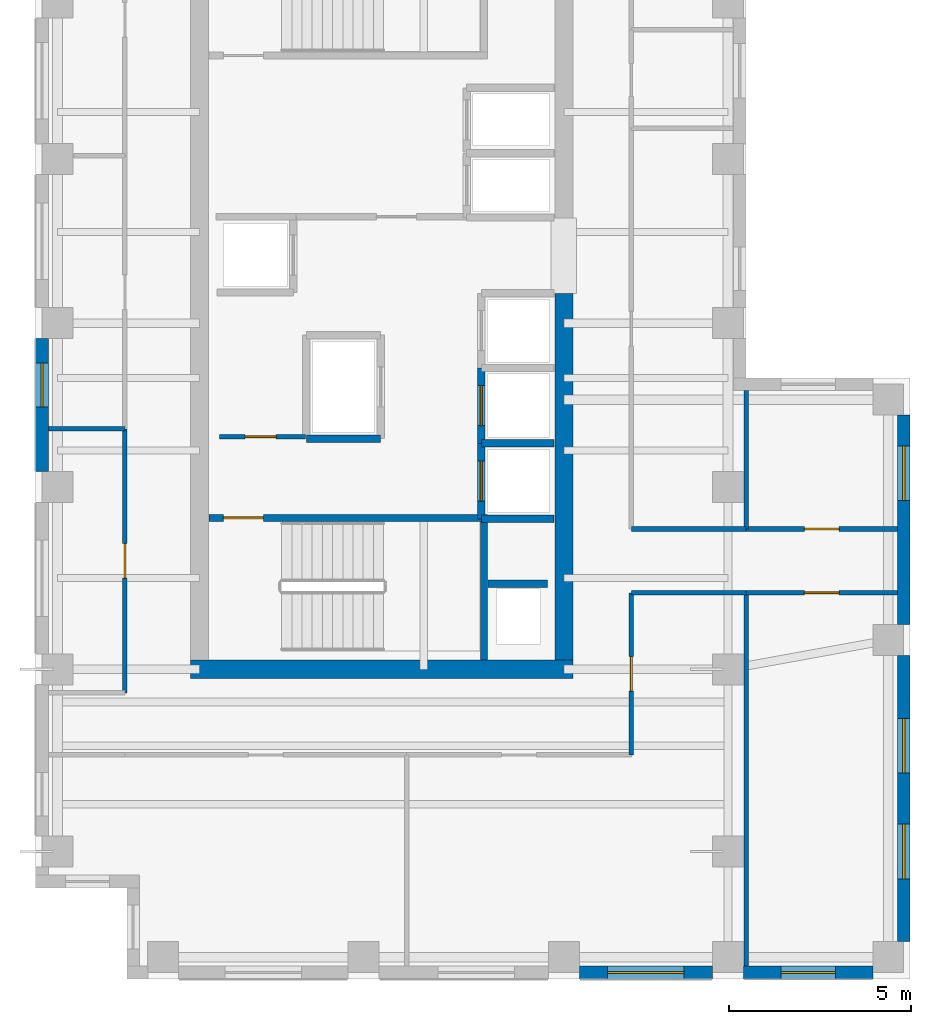
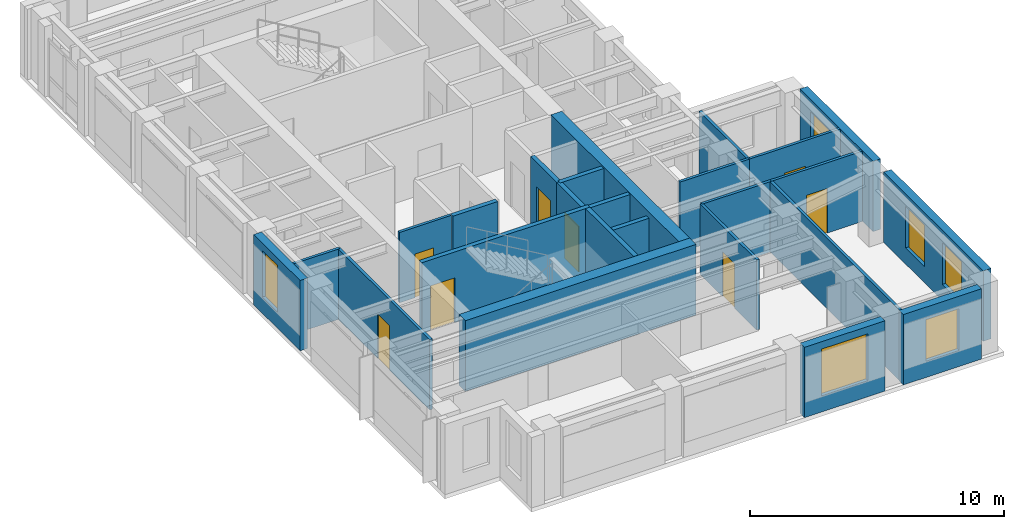
# One storey, part 6 of 10: 25 walls, 8 doors, 6 windows, 14 openings.
"""IFC4 building model written with IfcOpenShell, lengths in metres."""

from ifc_helpers import new_model, si_unit, direction, frame, frame_2d, origin, place, context, subcontext, project, spatial, rectangle, extrude, source, transform, mapped, material, layer, layer_set, type_object, element, fill, save


model = new_model("IFC4")

# Units and contexts
model_context = context("Model", 3, precision=1e-05, world=origin(), true_north=direction((0.0, 1.0)))
body_context = subcontext(model_context, "Body", "Model", "MODEL_VIEW")
ifc_project = project(units=[si_unit("LENGTHUNIT", "METRE"), si_unit("AREAUNIT", "SQUARE_METRE"), si_unit("VOLUMEUNIT", "CUBIC_METRE"), si_unit("PLANEANGLEUNIT", "RADIAN"), si_unit("MASSUNIT", "GRAM", prefix="KILO")], contexts=[model_context])

# Site, building, storey
site_placement = place(None, origin())
site = spatial("IfcSite", under=ifc_project, at=site_placement, CompositionType="ELEMENT")
building_placement = place(site_placement, origin())
building = spatial("IfcBuilding", under=site, at=building_placement, Name="Kharzan Plaza Tower", CompositionType="ELEMENT")
storey_placement = place(building_placement, frame((0.0, 0.0, 266.39990234375)))
storey = spatial("IfcBuildingStorey", under=building, at=storey_placement, Name="L72", CompositionType="ELEMENT", Elevation=266.39990234375)

# Wall, opening, window
ifc_material_1 = material(Name="Concrete C40/50", Category="concrete")
ifc_layer_1 = layer(ifc_material_1, 0.35009765625)
ifc_layer_set_1 = layer_set([ifc_layer_1], Name="Concrete C40/50")
wall_type_1 = type_object("IfcWallType", Name="WL-EXT-MAS-Z4", PredefinedType="SOLIDWALL", material=ifc_layer_set_1)
wall_1_placement = place(storey_placement, frame((0.175048828125, 17.576904296875, 0.0), z_axis=(0.0, 0.0, 1.0), x_axis=(0.0, -1.0, 0.0)))
wall_1 = element("IfcWall", 1, at=wall_1_placement, inside=storey, type_object=wall_type_1, Name="L72 Masonry-Frame Exterior Wall 14", PredefinedType="SOLIDWALL", context=body_context, shape_type="SweptSolid", body=[
    extrude(rectangle(XDim=3.65380859375, YDim=0.35009765625, at=frame_2d((1.826904296875, 0.0))), origin(), (0.0, 0.0, 1.0), 3.385009765625),
])
opening_1_placement = place(wall_1_placement, frame((0.673583984375, 0.0, 0.780029296875)))
opening_1 = element("IfcOpeningElement", 2, at=opening_1_placement, cuts=wall_1, Name="Opening W3", PredefinedType="OPENING", context=body_context, shape_type="SweptSolid", body=[
    extrude(rectangle(XDim=1.199951171875, YDim=2.25, at=frame_2d((0.60009765625, 1.125))), frame((0.0, 0.18505859375, 0.0), z_axis=(0.0, -1.0, 0.0), x_axis=(1.0, 0.0, 0.0)), (0.0, 0.0, 1.0), 0.3701171875),
])
ifc_material_2 = material(Name="Low-E Double Glazing", Category="glass")
window_type_1 = type_object("IfcWindowType", Name="WN-REC-1200x2100", PartitioningType="SINGLE_PANEL", PredefinedType="WINDOW", material=ifc_material_2)
shared_shape_1 = source(origin(), body_context, "Body", "SweptSolid", [
    extrude(rectangle(XDim=1.199951171875, YDim=2.25, at=frame_2d((0.60009765625, 1.125))), frame((0.0, 0.030029296875, 0.0), z_axis=(0.0, -1.0, 0.0), x_axis=(1.0, 0.0, 0.0)), (0.0, 0.0, 1.0), 0.06005859375),
])
window_1_placement = place(opening_1_placement, origin())
window_1 = element("IfcWindow", 3, at=window_1_placement, inside=storey, type_object=window_type_1, Name="L72 Recessed Solar-Control Window 14-1", OverallHeight=2.25, OverallWidth=1.199951171875, PartitioningType="SINGLE_PANEL", PredefinedType="WINDOW", context=body_context, shape_type="MappedRepresentation", body=[
    mapped(shared_shape_1, transform((0.0, 0.0, 0.0), x_axis=(1.0, 0.0, 0.0), y_axis=(0.0, 1.0, 0.0), z_axis=(0.0, 0.0, 1.0))),
])
fill(opening_1, window_1)

wall_2_placement = place(storey_placement, frame((14.923095703125, 0.175048828125, 0.0), z_axis=(0.0, 0.0, 1.0), x_axis=(1.0, 0.0, 0.0)))
wall_2 = element("IfcWall", 4, at=wall_2_placement, inside=storey, type_object=wall_type_1, Name="L72 Masonry-Frame Exterior Wall 23", PredefinedType="SOLIDWALL", context=body_context, shape_type="SweptSolid", body=[
    extrude(rectangle(XDim=3.65380859375, YDim=0.35009765625, at=frame_2d((1.826904296875, 0.0))), origin(), (0.0, 0.0, 1.0), 3.385009765625),
])
opening_2_placement = place(wall_2_placement, frame((0.777099609375, 0.0, 0.780029296875)))
opening_2 = element("IfcOpeningElement", 5, at=opening_2_placement, cuts=wall_2, Name="Opening W6", PredefinedType="OPENING", context=body_context, shape_type="SweptSolid", body=[
    extrude(rectangle(XDim=2.10009765625, YDim=2.25, at=frame_2d((1.050048828125, 1.125))), frame((0.0, 0.18505859375, 0.0), z_axis=(0.0, -1.0, 0.0), x_axis=(1.0, 0.0, 0.0)), (0.0, 0.0, 1.0), 0.3701171875),
])
window_type_2 = type_object("IfcWindowType", Name="WN-EXEC-2100x2250", PartitioningType="SINGLE_PANEL", PredefinedType="WINDOW", material=ifc_material_2)
shared_shape_2 = source(origin(), body_context, "Body", "SweptSolid", [
    extrude(rectangle(XDim=2.10009765625, YDim=2.25, at=frame_2d((1.050048828125, 1.125))), frame((0.0, 0.030029296875, 0.0), z_axis=(0.0, -1.0, 0.0), x_axis=(1.0, 0.0, 0.0)), (0.0, 0.0, 1.0), 0.06005859375),
])
window_2_placement = place(opening_2_placement, origin())
window_2 = element("IfcWindow", 6, at=window_2_placement, inside=storey, type_object=window_type_2, Name="L72 Recessed Solar-Control Window 23-1", OverallHeight=2.25, OverallWidth=2.10009765625, PartitioningType="SINGLE_PANEL", PredefinedType="WINDOW", context=body_context, shape_type="MappedRepresentation", body=[
    mapped(shared_shape_2, transform((0.0, 0.0, 0.0), x_axis=(1.0, 0.0, 0.0), y_axis=(0.0, 1.0, 0.0), z_axis=(0.0, 0.0, 1.0))),
])
fill(opening_2, window_2)

wall_3_placement = place(storey_placement, frame((19.423095703125, 0.175048828125, 0.0), z_axis=(0.0, 0.0, 1.0), x_axis=(1.0, 0.0, 0.0)))
wall_3 = element("IfcWall", 7, at=wall_3_placement, inside=storey, type_object=wall_type_1, Name="L72 Masonry-Frame Exterior Wall 24", PredefinedType="SOLIDWALL", context=body_context, shape_type="SweptSolid", body=[
    extrude(rectangle(XDim=3.553955078125, YDim=0.35009765625, at=frame_2d((1.77685546875, 0.0))), origin(), (0.0, 0.0, 1.0), 3.385009765625),
])
opening_3_placement = place(wall_3_placement, frame((1.030517578125, 0.0, 0.780029296875)))
opening_3 = element("IfcOpeningElement", 8, at=opening_3_placement, cuts=wall_3, Name="Opening W5", PredefinedType="OPENING", context=body_context, shape_type="SweptSolid", body=[
    extrude(rectangle(XDim=1.5, YDim=2.0, at=frame_2d((0.75, 1.0))), frame((0.0, 0.18505859375, 0.0), z_axis=(0.0, -1.0, 0.0), x_axis=(1.0, 0.0, 0.0)), (0.0, 0.0, 1.0), 0.3701171875),
])
window_type_3 = type_object("IfcWindowType", Name="WN-SLT-1500x2000", PartitioningType="SINGLE_PANEL", PredefinedType="WINDOW", material=ifc_material_2)
shared_shape_3 = source(origin(), body_context, "Body", "SweptSolid", [
    extrude(rectangle(XDim=1.5, YDim=2.0, at=frame_2d((0.75, 1.0))), frame((0.0, 0.030029296875, 0.0), z_axis=(0.0, -1.0, 0.0), x_axis=(1.0, 0.0, 0.0)), (0.0, 0.0, 1.0), 0.06005859375),
])
window_3_placement = place(opening_3_placement, origin())
window_3 = element("IfcWindow", 9, at=window_3_placement, inside=storey, type_object=window_type_3, Name="L72 Recessed Solar-Control Window 24-1", OverallHeight=2.0, OverallWidth=1.5, PartitioningType="SINGLE_PANEL", PredefinedType="WINDOW", context=body_context, shape_type="MappedRepresentation", body=[
    mapped(shared_shape_3, transform((0.0, 0.0, 0.0), x_axis=(1.0, 0.0, 0.0), y_axis=(0.0, 1.0, 0.0), z_axis=(0.0, 0.0, 1.0))),
])
fill(opening_3, window_3)

# Wall, openings, windows
wall_4_placement = place(storey_placement, frame((23.824951171875, 1.02294921875, 0.0), z_axis=(0.0, 0.0, 1.0), x_axis=(0.0, 1.0, 0.0)))
wall_4 = element("IfcWall", 10, at=wall_4_placement, inside=storey, type_object=wall_type_1, Name="L72 Masonry-Frame Exterior Wall 25", PredefinedType="SOLIDWALL", context=body_context, shape_type="SweptSolid", body=[
    extrude(rectangle(XDim=7.85400390625, YDim=0.35009765625, at=frame_2d((3.927001953125, 0.0))), origin(), (0.0, 0.0, 1.0), 3.385009765625),
])
opening_4_placement = place(wall_4_placement, frame((1.724609375, 0.0, 0.780029296875)))
opening_4 = element("IfcOpeningElement", 11, at=opening_4_placement, cuts=wall_4, Name="Opening W5", PredefinedType="OPENING", context=body_context, shape_type="SweptSolid", body=[
    extrude(rectangle(XDim=1.5, YDim=2.0, at=frame_2d((0.75, 1.0))), frame((0.0, 0.18505859375, 0.0), z_axis=(0.0, -1.0, 0.0), x_axis=(1.0, 0.0, 0.0)), (0.0, 0.0, 1.0), 0.3701171875),
])
opening_5_placement = place(wall_4_placement, frame((4.62939453125, 0.0, 0.780029296875)))
opening_5 = element("IfcOpeningElement", 12, at=opening_5_placement, cuts=wall_4, Name="Opening W5", PredefinedType="OPENING", context=body_context, shape_type="SweptSolid", body=[
    extrude(rectangle(XDim=1.5, YDim=2.0, at=frame_2d((0.75, 1.0))), frame((0.0, 0.18505859375, 0.0), z_axis=(0.0, -1.0, 0.0), x_axis=(1.0, 0.0, 0.0)), (0.0, 0.0, 1.0), 0.3701171875),
])
window_4_placement = place(opening_4_placement, origin())
window_4 = element("IfcWindow", 13, at=window_4_placement, inside=storey, type_object=window_type_3, Name="L72 Recessed Solar-Control Window 25-1", OverallHeight=2.0, OverallWidth=1.5, PartitioningType="SINGLE_PANEL", PredefinedType="WINDOW", context=body_context, shape_type="MappedRepresentation", body=[
    mapped(shared_shape_3, transform((0.0, 0.0, 0.0), x_axis=(1.0, 0.0, 0.0), y_axis=(0.0, 1.0, 0.0), z_axis=(0.0, 0.0, 1.0))),
])
fill(opening_4, window_4)
window_5_placement = place(opening_5_placement, origin())
window_5 = element("IfcWindow", 14, at=window_5_placement, inside=storey, type_object=window_type_3, Name="L72 Recessed Solar-Control Window 25-2", OverallHeight=2.0, OverallWidth=1.5, PartitioningType="SINGLE_PANEL", PredefinedType="WINDOW", context=body_context, shape_type="MappedRepresentation", body=[
    mapped(shared_shape_3, transform((0.0, 0.0, 0.0), x_axis=(1.0, 0.0, 0.0), y_axis=(0.0, 1.0, 0.0), z_axis=(0.0, 0.0, 1.0))),
])
fill(opening_5, window_5)

# Wall, opening, window
wall_5_placement = place(storey_placement, frame((23.824951171875, 9.722900390625, 0.0), z_axis=(0.0, 0.0, 1.0), x_axis=(0.0, 1.0, 0.0)))
wall_5 = element("IfcWall", 15, at=wall_5_placement, inside=storey, type_object=wall_type_1, Name="L72 Masonry-Frame Exterior Wall 26", PredefinedType="SOLIDWALL", context=body_context, shape_type="SweptSolid", body=[
    extrude(rectangle(XDim=5.754150390625, YDim=0.35009765625, at=frame_2d((2.876953125, 0.0))), origin(), (0.0, 0.0, 1.0), 3.385009765625),
])
opening_6_placement = place(wall_5_placement, frame((3.405517578125, 0.0, 0.780029296875)))
opening_6 = element("IfcOpeningElement", 16, at=opening_6_placement, cuts=wall_5, Name="Opening W5", PredefinedType="OPENING", context=body_context, shape_type="SweptSolid", body=[
    extrude(rectangle(XDim=1.5, YDim=2.0, at=frame_2d((0.75, 1.0))), frame((0.0, 0.18505859375, 0.0), z_axis=(0.0, -1.0, 0.0), x_axis=(1.0, 0.0, 0.0)), (0.0, 0.0, 1.0), 0.3701171875),
])
window_6_placement = place(opening_6_placement, origin())
window_6 = element("IfcWindow", 17, at=window_6_placement, inside=storey, type_object=window_type_3, Name="L72 Recessed Solar-Control Window 26-1", OverallHeight=2.0, OverallWidth=1.5, PartitioningType="SINGLE_PANEL", PredefinedType="WINDOW", context=body_context, shape_type="MappedRepresentation", body=[
    mapped(shared_shape_3, transform((0.0, 0.0, 0.0), x_axis=(1.0, 0.0, 0.0), y_axis=(0.0, 1.0, 0.0), z_axis=(0.0, 0.0, 1.0))),
])
fill(opening_6, window_6)

# Wall, opening, door
ifc_material_3 = material(Name="Fire-Rated Gypsum Board Partition", Category="gypsum")
ifc_layer_2 = layer(ifc_material_3, 0.125)
ifc_layer_set_2 = layer_set([ifc_layer_2], Name="Fire-Rated Gypsum Board Partition")
wall_type_2 = type_object("IfcWallType", Name="WL-INT-PART-125", PredefinedType="PARTITIONING", material=ifc_layer_set_2)
wall_6_placement = place(storey_placement, frame((5.050048828125, 14.8798828125, 0.0), z_axis=(0.0, 0.0, 1.0), x_axis=(1.0, 0.0, 0.0)))
wall_6 = element("IfcWall", 18, at=wall_6_placement, inside=storey, type_object=wall_type_2, Name="L72 Interior Partition CA-K0", PredefinedType="PARTITIONING", context=body_context, shape_type="SweptSolid", body=[
    extrude(rectangle(XDim=2.349853515625, YDim=0.125, at=frame_2d((1.1748046875, 0.0))), origin(), (0.0, 0.0, 1.0), 3.385009765625),
])
opening_7_placement = place(wall_6_placement, frame((0.699951171875, 0.0, 0.0)))
opening_7 = element("IfcOpeningElement", 19, at=opening_7_placement, cuts=wall_6, Name="Opening RD1", PredefinedType="OPENING", context=body_context, shape_type="SweptSolid", body=[
    extrude(rectangle(XDim=0.85009765625, YDim=2.10009765625, at=frame_2d((0.425048828125, 1.050048828125))), frame((0.0, 0.072509765625, 0.0), z_axis=(0.0, -1.0, 0.0), x_axis=(1.0, 0.0, 0.0)), (0.0, 0.0, 1.0), 0.14501953125),
])
ifc_material_4 = material(Name="Powder-Coated Fire-Rated Steel", Category="steel")
door_type_1 = type_object("IfcDoorType", Name="DR-RISER-900", OperationType="NOTDEFINED", PredefinedType="DOOR", material=ifc_material_4)
shared_shape_4 = source(origin(), body_context, "Body", "SweptSolid", [
    extrude(rectangle(XDim=0.85009765625, YDim=2.10009765625, at=frame_2d((0.425048828125, 1.050048828125))), frame((0.0, 0.02490234375, 0.0), z_axis=(0.0, -1.0, 0.0), x_axis=(1.0, 0.0, 0.0)), (0.0, 0.0, 1.0), 0.050048828125),
])
door_1_placement = place(opening_7_placement, origin())
door_1 = element("IfcDoor", 20, at=door_1_placement, inside=storey, type_object=door_type_1, Name="L72 Cleaners Store Door", OperationType="SINGLE_SWING_RIGHT", OverallHeight=2.10009765625, OverallWidth=0.85009765625, PredefinedType="DOOR", context=body_context, shape_type="MappedRepresentation", body=[
    mapped(shared_shape_4, transform((0.0, 0.0, 0.0), x_axis=(1.0, 0.0, 0.0), y_axis=(0.0, 1.0, 0.0), z_axis=(0.0, 0.0, 1.0))),
])
fill(opening_7, door_1)

wall_7_placement = place(storey_placement, frame((16.35009765625, 6.14990234375, 0.0), z_axis=(0.0, 0.0, 1.0), x_axis=(0.0, 1.0, 0.0)))
wall_7 = element("IfcWall", 21, at=wall_7_placement, inside=storey, type_object=wall_type_2, Name="L72 Interior Partition SH-AEW1", PredefinedType="PARTITIONING", context=body_context, shape_type="SweptSolid", body=[
    extrude(rectangle(XDim=4.4501953125, YDim=0.125, at=frame_2d((2.22509765625, 0.0))), origin(), (0.0, 0.0, 1.0), 3.385009765625),
])
opening_8_placement = place(wall_7_placement, frame((1.75, 0.0, 0.0)))
opening_8 = element("IfcOpeningElement", 22, at=opening_8_placement, cuts=wall_7, Name="Opening OD1", PredefinedType="OPENING", context=body_context, shape_type="SweptSolid", body=[
    extrude(rectangle(XDim=0.949951171875, YDim=2.14990234375, at=frame_2d((0.47509765625, 1.074951171875))), frame((0.0, 0.072509765625, 0.0), z_axis=(0.0, -1.0, 0.0), x_axis=(1.0, 0.0, 0.0)), (0.0, 0.0, 1.0), 0.14501953125),
])
ifc_material_5 = material(Name="Acoustic Solid-Core Stained Oak", Category="timber")
door_type_2 = type_object("IfcDoorType", Name="DR-OFF-SINGLE", OperationType="NOTDEFINED", PredefinedType="DOOR", material=ifc_material_5)
shared_shape_5 = source(origin(), body_context, "Body", "SweptSolid", [
    extrude(rectangle(XDim=0.949951171875, YDim=2.14990234375, at=frame_2d((0.47509765625, 1.074951171875))), frame((0.0, 0.02490234375, 0.0), z_axis=(0.0, -1.0, 0.0), x_axis=(1.0, 0.0, 0.0)), (0.0, 0.0, 1.0), 0.050048828125),
])
door_2_placement = place(opening_8_placement, origin())
door_2 = element("IfcDoor", 23, at=door_2_placement, inside=storey, type_object=door_type_2, Name="L72 South Slot Office Door", OperationType="SINGLE_SWING_RIGHT", OverallHeight=2.14990234375, OverallWidth=0.949951171875, PredefinedType="DOOR", context=body_context, shape_type="MappedRepresentation", body=[
    mapped(shared_shape_5, transform((0.0, 0.0, 0.0), x_axis=(1.0, 0.0, 0.0), y_axis=(0.0, 1.0, 0.0), z_axis=(0.0, 0.0, 1.0))),
])
fill(opening_8, door_2)

wall_8_placement = place(storey_placement, frame((19.5, 10.60009765625, 0.0), z_axis=(0.0, 0.0, 1.0), x_axis=(1.0, 0.0, 0.0)))
wall_8 = element("IfcWall", 24, at=wall_8_placement, inside=storey, type_object=wall_type_2, Name="L72 Interior Partition SH-SHD1", PredefinedType="PARTITIONING", context=body_context, shape_type="SweptSolid", body=[
    extrude(rectangle(XDim=4.14794921875, YDim=0.125, at=frame_2d((2.073974609375, 0.0))), origin(), (0.0, 0.0, 1.0), 3.385009765625),
])
opening_9_placement = place(wall_8_placement, frame((1.60009765625, 0.0, 0.0)))
opening_9 = element("IfcOpeningElement", 25, at=opening_9_placement, cuts=wall_8, Name="Opening OD1", PredefinedType="OPENING", context=body_context, shape_type="SweptSolid", body=[
    extrude(rectangle(XDim=0.949951171875, YDim=2.14990234375, at=frame_2d((0.47509765625, 1.074951171875))), frame((0.0, 0.072509765625, 0.0), z_axis=(0.0, -1.0, 0.0), x_axis=(1.0, 0.0, 0.0)), (0.0, 0.0, 1.0), 0.14501953125),
])
door_3_placement = place(opening_9_placement, origin())
door_3 = element("IfcDoor", 26, at=door_3_placement, inside=storey, type_object=door_type_2, Name="L72 South Shoulder Lab Door", OperationType="SINGLE_SWING_RIGHT", OverallHeight=2.14990234375, OverallWidth=0.949951171875, PredefinedType="DOOR", context=body_context, shape_type="MappedRepresentation", body=[
    mapped(shared_shape_5, transform((0.0, 0.0, 0.0), x_axis=(1.0, 0.0, 0.0), y_axis=(0.0, 1.0, 0.0), z_axis=(0.0, 0.0, 1.0))),
])
fill(opening_9, door_3)

wall_9_placement = place(storey_placement, frame((19.5, 12.35009765625, 0.0), z_axis=(0.0, 0.0, 1.0), x_axis=(1.0, 0.0, 0.0)))
wall_9 = element("IfcWall", 27, at=wall_9_placement, inside=storey, type_object=wall_type_2, Name="L72 Interior Partition SH-SHD2", PredefinedType="PARTITIONING", context=body_context, shape_type="SweptSolid", body=[
    extrude(rectangle(XDim=4.14794921875, YDim=0.125, at=frame_2d((2.073974609375, 0.0))), origin(), (0.0, 0.0, 1.0), 3.385009765625),
])
opening_10_placement = place(wall_9_placement, frame((1.60009765625, 0.0, 0.0)))
opening_10 = element("IfcOpeningElement", 28, at=opening_10_placement, cuts=wall_9, Name="Opening OD1", PredefinedType="OPENING", context=body_context, shape_type="SweptSolid", body=[
    extrude(rectangle(XDim=0.949951171875, YDim=2.14990234375, at=frame_2d((0.47509765625, 1.074951171875))), frame((0.0, 0.072509765625, 0.0), z_axis=(0.0, -1.0, 0.0), x_axis=(1.0, 0.0, 0.0)), (0.0, 0.0, 1.0), 0.14501953125),
])
door_4_placement = place(opening_10_placement, origin())
door_4 = element("IfcDoor", 29, at=door_4_placement, inside=storey, type_object=door_type_2, Name="L72 North Shoulder Lab Door", OperationType="SINGLE_SWING_LEFT", OverallHeight=2.14990234375, OverallWidth=0.949951171875, PredefinedType="DOOR", context=body_context, shape_type="MappedRepresentation", body=[
    mapped(shared_shape_5, transform((0.0, 0.0, 0.0), x_axis=(1.0, 0.0, 0.0), y_axis=(0.0, 1.0, 0.0), z_axis=(0.0, 0.0, 1.0))),
])
fill(opening_10, door_4)

wall_10_placement = place(storey_placement, frame((2.449951171875, 7.85009765625, 0.0), z_axis=(0.0, 0.0, 1.0), x_axis=(0.0, 1.0, 0.0)))
wall_10 = element("IfcWall", 30, at=wall_10_placement, inside=storey, type_object=wall_type_2, Name="L72 Interior Partition SH-WW-1", PredefinedType="PARTITIONING", context=body_context, shape_type="SweptSolid", body=[
    extrude(rectangle(XDim=7.25, YDim=0.125, at=frame_2d((3.625, 0.0))), origin(), (0.0, 0.0, 1.0), 3.385009765625),
])
opening_11_placement = place(wall_10_placement, frame((3.14990234375, 0.0, 0.0)))
opening_11 = element("IfcOpeningElement", 31, at=opening_11_placement, cuts=wall_10, Name="Opening OD1", PredefinedType="OPENING", context=body_context, shape_type="SweptSolid", body=[
    extrude(rectangle(XDim=0.949951171875, YDim=2.14990234375, at=frame_2d((0.47509765625, 1.074951171875))), frame((0.0, 0.072509765625, 0.0), z_axis=(0.0, -1.0, 0.0), x_axis=(1.0, 0.0, 0.0)), (0.0, 0.0, 1.0), 0.14501953125),
])
door_5_placement = place(opening_11_placement, origin())
door_5 = element("IfcDoor", 32, at=door_5_placement, inside=storey, type_object=door_type_2, Name="L72 Cloud Architecture Office Door", OperationType="SINGLE_SWING_LEFT", OverallHeight=2.14990234375, OverallWidth=0.949951171875, PredefinedType="DOOR", context=body_context, shape_type="MappedRepresentation", body=[
    mapped(shared_shape_5, transform((0.0, 0.0, 0.0), x_axis=(1.0, 0.0, 0.0), y_axis=(0.0, 1.0, 0.0), z_axis=(0.0, 0.0, 1.0))),
])
fill(opening_11, door_5)

ifc_layer_3 = layer(ifc_material_1, 0.199951171875)
ifc_layer_set_3 = layer_set([ifc_layer_3], Name="Concrete C40/50")
wall_type_3 = type_object("IfcWallType", Name="WL-INT-SHAFT-200", PredefinedType="PARTITIONING", material=ifc_layer_set_3)
wall_11_placement = place(storey_placement, frame((12.22998046875, 12.6298828125, 0.0), z_axis=(0.0, 0.0, 1.0), x_axis=(0.0, 1.0, 0.0)))
wall_11 = element("IfcWall", 33, at=wall_11_placement, inside=storey, type_object=wall_type_3, Name="L72 Interior Partition SHF-PL-H1-W", PredefinedType="PARTITIONING", context=body_context, shape_type="SweptSolid", body=[
    extrude(rectangle(XDim=2.070068359375, YDim=0.199951171875, at=frame_2d((1.03515625, 0.0))), origin(), (0.0, 0.0, 1.0), 3.385009765625),
])
opening_12_placement = place(wall_11_placement, frame((0.485107421875, 0.0, 0.0)))
opening_12 = element("IfcOpeningElement", 34, at=opening_12_placement, cuts=wall_11, Name="Opening LD", PredefinedType="OPENING", context=body_context, shape_type="SweptSolid", body=[
    extrude(rectangle(XDim=1.10009765625, YDim=2.199951171875, at=frame_2d((0.550048828125, 1.10009765625))), frame((0.0, 0.10986328125, 0.0), z_axis=(0.0, -1.0, 0.0), x_axis=(1.0, 0.0, 0.0)), (0.0, 0.0, 1.0), 0.219970703125),
])
ifc_material_6 = material(Name="Brushed Stainless Steel", Category="steel")
door_type_3 = type_object("IfcDoorType", Name="DR-LIFT-SLIDE", OperationType="SLIDING_TO_LEFT", PredefinedType="DOOR", material=ifc_material_6)
shared_shape_6 = source(origin(), body_context, "Body", "SweptSolid", [
    extrude(rectangle(XDim=1.10009765625, YDim=2.199951171875, at=frame_2d((0.550048828125, 1.10009765625))), frame((0.0, 0.02490234375, 0.0), z_axis=(0.0, -1.0, 0.0), x_axis=(1.0, 0.0, 0.0)), (0.0, 0.0, 1.0), 0.050048828125),
])
door_6_placement = place(opening_12_placement, origin())
door_6 = element("IfcDoor", 35, at=door_6_placement, inside=storey, type_object=door_type_3, Name="L72 High-Rise Passenger Lift PL-H1 Sliding Landing Door", OperationType="SLIDING_TO_LEFT", OverallHeight=2.199951171875, OverallWidth=1.10009765625, PredefinedType="DOOR", context=body_context, shape_type="MappedRepresentation", body=[
    mapped(shared_shape_6, transform((0.0, 0.0, 0.0), x_axis=(1.0, 0.0, 0.0), y_axis=(0.0, 1.0, 0.0), z_axis=(0.0, 0.0, 1.0))),
])
fill(opening_12, door_6)

wall_12_placement = place(storey_placement, frame((12.22998046875, 14.699951171875, 0.0), z_axis=(0.0, 0.0, 1.0), x_axis=(0.0, 1.0, 0.0)))
wall_12 = element("IfcWall", 36, at=wall_12_placement, inside=storey, type_object=wall_type_3, Name="L72 Interior Partition SHF-PL-H2-W", PredefinedType="PARTITIONING", context=body_context, shape_type="SweptSolid", body=[
    extrude(rectangle(XDim=2.070068359375, YDim=0.199951171875, at=frame_2d((1.03515625, 0.0))), origin(), (0.0, 0.0, 1.0), 3.385009765625),
])
opening_13_placement = place(wall_12_placement, frame((0.485107421875, 0.0, 0.0)))
opening_13 = element("IfcOpeningElement", 37, at=opening_13_placement, cuts=wall_12, Name="Opening LD", PredefinedType="OPENING", context=body_context, shape_type="SweptSolid", body=[
    extrude(rectangle(XDim=1.10009765625, YDim=2.199951171875, at=frame_2d((0.550048828125, 1.10009765625))), frame((0.0, 0.10986328125, 0.0), z_axis=(0.0, -1.0, 0.0), x_axis=(1.0, 0.0, 0.0)), (0.0, 0.0, 1.0), 0.219970703125),
])
door_7_placement = place(opening_13_placement, origin())
door_7 = element("IfcDoor", 38, at=door_7_placement, inside=storey, type_object=door_type_3, Name="L72 High-Rise Passenger Lift PL-H2 Sliding Landing Door", OperationType="SLIDING_TO_LEFT", OverallHeight=2.199951171875, OverallWidth=1.10009765625, PredefinedType="DOOR", context=body_context, shape_type="MappedRepresentation", body=[
    mapped(shared_shape_6, transform((0.0, 0.0, 0.0), x_axis=(1.0, 0.0, 0.0), y_axis=(0.0, 1.0, 0.0), z_axis=(0.0, 0.0, 1.0))),
])
fill(opening_13, door_7)

ifc_material_7 = material(Name="Concrete C50/60", Category="concrete")
ifc_layer_4 = layer(ifc_material_7, 0.199951171875)
ifc_layer_set_4 = layer_set([ifc_layer_4], Name="Concrete C50/60")
wall_type_4 = type_object("IfcWallType", Name="WL-SHAFT-RC200", PredefinedType="SHEAR", material=ifc_layer_set_4)
wall_13_placement = place(storey_placement, frame((4.751953125, 12.655029296875, 0.0), z_axis=(0.0, 0.0, 1.0), x_axis=(1.0, 0.0, 0.0)))
wall_13 = element("IfcWall", 39, at=wall_13_placement, inside=storey, type_object=wall_type_4, Name="L72 Stair ST-1 North RC Shaft Wall", PredefinedType="SHEAR", context=body_context, shape_type="SweptSolid", body=[
    extrude(rectangle(XDim=7.653076171875, YDim=0.199951171875, at=frame_2d((3.82666015625, 0.0))), origin(), (0.0, 0.0, 1.0), 3.400146484375),
])
opening_14_placement = place(wall_13_placement, frame((0.39990234375, 0.0, 0.0)))
opening_14 = element("IfcOpeningElement", 40, at=opening_14_placement, cuts=wall_13, Name="Opening SD1", PredefinedType="OPENING", context=body_context, shape_type="SweptSolid", body=[
    extrude(rectangle(XDim=1.10009765625, YDim=2.14990234375, at=frame_2d((0.550048828125, 1.074951171875))), frame((0.0, 0.10986328125, 0.0), z_axis=(0.0, -1.0, 0.0), x_axis=(1.0, 0.0, 0.0)), (0.0, 0.0, 1.0), 0.219970703125),
])
ifc_material_8 = material(Name="Fire-Rated Hollow Galvanized Steel", Category="steel")
door_type_4 = type_object("IfcDoorType", Name="DR-STAIR-FD120", OperationType="NOTDEFINED", PredefinedType="DOOR", material=ifc_material_8)
shared_shape_7 = source(origin(), body_context, "Body", "SweptSolid", [
    extrude(rectangle(XDim=1.10009765625, YDim=2.14990234375, at=frame_2d((0.550048828125, 1.074951171875))), frame((0.0, 0.02490234375, 0.0), z_axis=(0.0, -1.0, 0.0), x_axis=(1.0, 0.0, 0.0)), (0.0, 0.0, 1.0), 0.050048828125),
])
door_8_placement = place(opening_14_placement, origin())
door_8 = element("IfcDoor", 41, at=door_8_placement, inside=storey, type_object=door_type_4, Name="L72 Stair ST-1 Fire Exit Door", OperationType="SINGLE_SWING_LEFT", OverallHeight=2.14990234375, OverallWidth=1.10009765625, PredefinedType="DOOR", context=body_context, shape_type="MappedRepresentation", body=[
    mapped(shared_shape_7, transform((0.0, 0.0, 0.0), x_axis=(1.0, 0.0, 0.0), y_axis=(0.0, 1.0, 0.0), z_axis=(0.0, 0.0, 1.0))),
])
fill(opening_14, door_8)

# Walls
shared_shape_8 = source(origin(), body_context, "Body", "SweptSolid", [
    extrude(rectangle(XDim=2.097900390625, YDim=0.125, at=frame_2d((1.048828125, 0.0))), origin(), (0.0, 0.0, 1.0), 3.385009765625),
])
wall_14_placement = place(storey_placement, frame((0.35205078125, 15.10009765625, 0.0), z_axis=(0.0, 0.0, 1.0), x_axis=(1.0, 0.0, 0.0)))
element("IfcWall", 42, at=wall_14_placement, inside=storey, type_object=wall_type_2, Name="L72 Interior Partition SH-WH-1", PredefinedType="PARTITIONING", context=body_context, shape_type="MappedRepresentation", body=[
    mapped(shared_shape_8, transform((0.0, 0.0, 0.0), x_axis=(1.0, 0.0, 0.0), y_axis=(0.0, 1.0, 0.0), z_axis=(0.0, 0.0, 1.0))),
])
shared_shape_9 = source(origin(), body_context, "Body", "SweptSolid", [
    extrude(rectangle(XDim=1.630126953125, YDim=0.199951171875, at=frame_2d((0.81494140625, 0.0))), origin(), (0.0, 0.0, 1.0), 3.385009765625),
])
wall_15_placement = place(storey_placement, frame((12.419921875, 10.85009765625, 0.0), z_axis=(0.0, 0.0, 1.0), x_axis=(1.0, 0.0, 0.0)))
element("IfcWall", 43, at=wall_15_placement, inside=storey, type_object=wall_type_3, Name="L72 Interior Partition CA-RSRA-N", PredefinedType="PARTITIONING", context=body_context, shape_type="MappedRepresentation", body=[
    mapped(shared_shape_9, transform((0.0, 0.0, 0.0), x_axis=(1.0, 0.0, 0.0), y_axis=(0.0, 1.0, 0.0), z_axis=(0.0, 0.0, 1.0))),
])
shared_shape_10 = source(origin(), body_context, "Body", "SweptSolid", [
    extrude(rectangle(XDim=2.0400390625, YDim=0.199951171875, at=frame_2d((1.02001953125, 0.0))), origin(), (0.0, 0.0, 1.0), 3.385009765625),
])
wall_16_placement = place(storey_placement, frame((7.429931640625, 14.830078125, 0.0), z_axis=(0.0, 0.0, 1.0), x_axis=(1.0, 0.0, 0.0)))
element("IfcWall", 44, at=wall_16_placement, inside=storey, type_object=wall_type_3, Name="L72 Interior Partition SHF-SVL-1-S", PredefinedType="PARTITIONING", context=body_context, shape_type="MappedRepresentation", body=[
    mapped(shared_shape_10, transform((0.0, 0.0, 0.0), x_axis=(1.0, 0.0, 0.0), y_axis=(0.0, 1.0, 0.0), z_axis=(0.0, 0.0, 1.0))),
])
ifc_layer_5 = layer(ifc_material_7, 0.5)
ifc_layer_set_5 = layer_set([ifc_layer_5], Name="Concrete C50/60")
wall_type_5 = type_object("IfcWallType", Name="WL-CORE-500", PredefinedType="SHEAR", material=ifc_layer_set_5)
shared_shape_11 = source(origin(), body_context, "Body", "SweptSolid", [
    extrude(rectangle(XDim=10.070068359375, YDim=0.5, at=frame_2d((5.03515625, 0.0))), origin(), (0.0, 0.0, 1.0), 3.400146484375),
])
wall_17_placement = place(storey_placement, frame((14.5, 8.75, 0.0), z_axis=(0.0, 0.0, 1.0), x_axis=(0.0, 1.0, 0.0)))
element("IfcWall", 45, at=wall_17_placement, inside=storey, type_object=wall_type_5, Name="L72 CORE-A east shear pier 1", PredefinedType="SHEAR", context=body_context, shape_type="MappedRepresentation", body=[
    mapped(shared_shape_11, transform((0.0, 0.0, 0.0), x_axis=(1.0, 0.0, 0.0), y_axis=(0.0, 1.0, 0.0), z_axis=(0.0, 0.0, 1.0))),
])
shared_shape_12 = source(origin(), body_context, "Body", "SweptSolid", [
    extrude(rectangle(XDim=10.5, YDim=0.5, at=frame_2d((5.25, 0.0))), origin(), (0.0, 0.0, 1.0), 3.400146484375),
])
wall_18_placement = place(storey_placement, frame((4.25, 8.5, 0.0), z_axis=(0.0, 0.0, 1.0), x_axis=(1.0, 0.0, 0.0)))
element("IfcWall", 46, at=wall_18_placement, inside=storey, type_object=wall_type_5, Name="L72 CORE-A south RC shear wall", PredefinedType="SHEAR", context=body_context, shape_type="MappedRepresentation", body=[
    mapped(shared_shape_12, transform((0.0, 0.0, 0.0), x_axis=(1.0, 0.0, 0.0), y_axis=(0.0, 1.0, 0.0), z_axis=(0.0, 0.0, 1.0))),
])
shared_shape_13 = source(origin(), body_context, "Body", "SweptSolid", [
    extrude(rectangle(XDim=1.989990234375, YDim=0.199951171875, at=frame_2d((0.9951171875, 0.0))), origin(), (0.0, 0.0, 1.0), 3.385009765625),
])
for number, where, z_axis, x_axis, name in (
    (47, (12.22998046875, 14.699951171875, 0.0), (0.0, 0.0, 1.0), (1.0, 0.0, 0.0), "L72 Interior Partition SHF-PL-H1-N"),
    (48, (12.22998046875, 12.6298828125, 0.0), (0.0, 0.0, 1.0), (1.0, 0.0, 0.0), "L72 Interior Partition SHF-PL-H1-S"),
):
    element("IfcWall", number, at=place(storey_placement, frame(where, z_axis=z_axis, x_axis=x_axis)), inside=storey, type_object=wall_type_3, Name=name, PredefinedType="PARTITIONING", context=body_context, shape_type="MappedRepresentation", body=[
        mapped(shared_shape_13, transform((0.0, 0.0, 0.0), x_axis=(1.0, 0.0, 0.0), y_axis=(0.0, 1.0, 0.0), z_axis=(0.0, 0.0, 1.0))),
    ])
shared_shape_14 = source(origin(), body_context, "Body", "SweptSolid", [
    extrude(rectangle(XDim=3.802978515625, YDim=0.199951171875, at=frame_2d((1.9013671875, 0.0))), origin(), (0.0, 0.0, 1.0), 3.400146484375),
])
wall_19_placement = place(storey_placement, frame((12.304931640625, 8.751953125, 0.0), z_axis=(0.0, 0.0, 1.0), x_axis=(0.0, 1.0, 0.0)))
element("IfcWall", 49, at=wall_19_placement, inside=storey, type_object=wall_type_4, Name="L72 Stair ST-1 East RC Shaft Wall", PredefinedType="SHEAR", context=body_context, shape_type="MappedRepresentation", body=[
    mapped(shared_shape_14, transform((0.0, 0.0, 0.0), x_axis=(1.0, 0.0, 0.0), y_axis=(0.0, 1.0, 0.0), z_axis=(0.0, 0.0, 1.0))),
])
shared_shape_15 = source(origin(), body_context, "Body", "SweptSolid", [
    extrude(rectangle(XDim=3.7978515625, YDim=0.125, at=frame_2d((1.89892578125, 0.0))), origin(), (0.0, 0.0, 1.0), 3.385009765625),
])
wall_20_placement = place(storey_placement, frame((19.5, 12.35009765625, 0.0), z_axis=(0.0, 0.0, 1.0), x_axis=(0.0, 1.0, 0.0)))
element("IfcWall", 50, at=wall_20_placement, inside=storey, type_object=wall_type_2, Name="L72 Interior Partition SH-SHW2", PredefinedType="PARTITIONING", context=body_context, shape_type="MappedRepresentation", body=[
    mapped(shared_shape_15, transform((0.0, 0.0, 0.0), x_axis=(1.0, 0.0, 0.0), y_axis=(0.0, 1.0, 0.0), z_axis=(0.0, 0.0, 1.0))),
])
shared_shape_16 = source(origin(), body_context, "Body", "SweptSolid", [
    extrude(rectangle(XDim=10.248046875, YDim=0.125, at=frame_2d((5.1240234375, 0.0))), origin(), (0.0, 0.0, 1.0), 3.385009765625),
])
wall_21_placement = place(storey_placement, frame((19.5, 0.35205078125, 0.0), z_axis=(0.0, 0.0, 1.0), x_axis=(0.0, 1.0, 0.0)))
element("IfcWall", 51, at=wall_21_placement, inside=storey, type_object=wall_type_2, Name="L72 Interior Partition SH-SHW1", PredefinedType="PARTITIONING", context=body_context, shape_type="MappedRepresentation", body=[
    mapped(shared_shape_16, transform((0.0, 0.0, 0.0), x_axis=(1.0, 0.0, 0.0), y_axis=(0.0, 1.0, 0.0), z_axis=(0.0, 0.0, 1.0))),
])
shared_shape_17 = source(origin(), body_context, "Body", "SweptSolid", [
    extrude(rectangle(XDim=3.14990234375, YDim=0.125, at=frame_2d((1.574951171875, 0.0))), origin(), (0.0, 0.0, 1.0), 3.385009765625),
])
for number, where, z_axis, x_axis, name in (
    (52, (16.35009765625, 12.35009765625, 0.0), (0.0, 0.0, 1.0), (1.0, 0.0, 0.0), "L72 Interior Partition SH-AEN0"),
    (53, (16.35009765625, 10.60009765625, 0.0), (0.0, 0.0, 1.0), (1.0, 0.0, 0.0), "L72 Interior Partition SH-AES0"),
):
    element("IfcWall", number, at=place(storey_placement, frame(where, z_axis=z_axis, x_axis=x_axis)), inside=storey, type_object=wall_type_2, Name=name, PredefinedType="PARTITIONING", context=body_context, shape_type="MappedRepresentation", body=[
        mapped(shared_shape_17, transform((0.0, 0.0, 0.0), x_axis=(1.0, 0.0, 0.0), y_axis=(0.0, 1.0, 0.0), z_axis=(0.0, 0.0, 1.0))),
    ])

save(model, "model.ifc")
